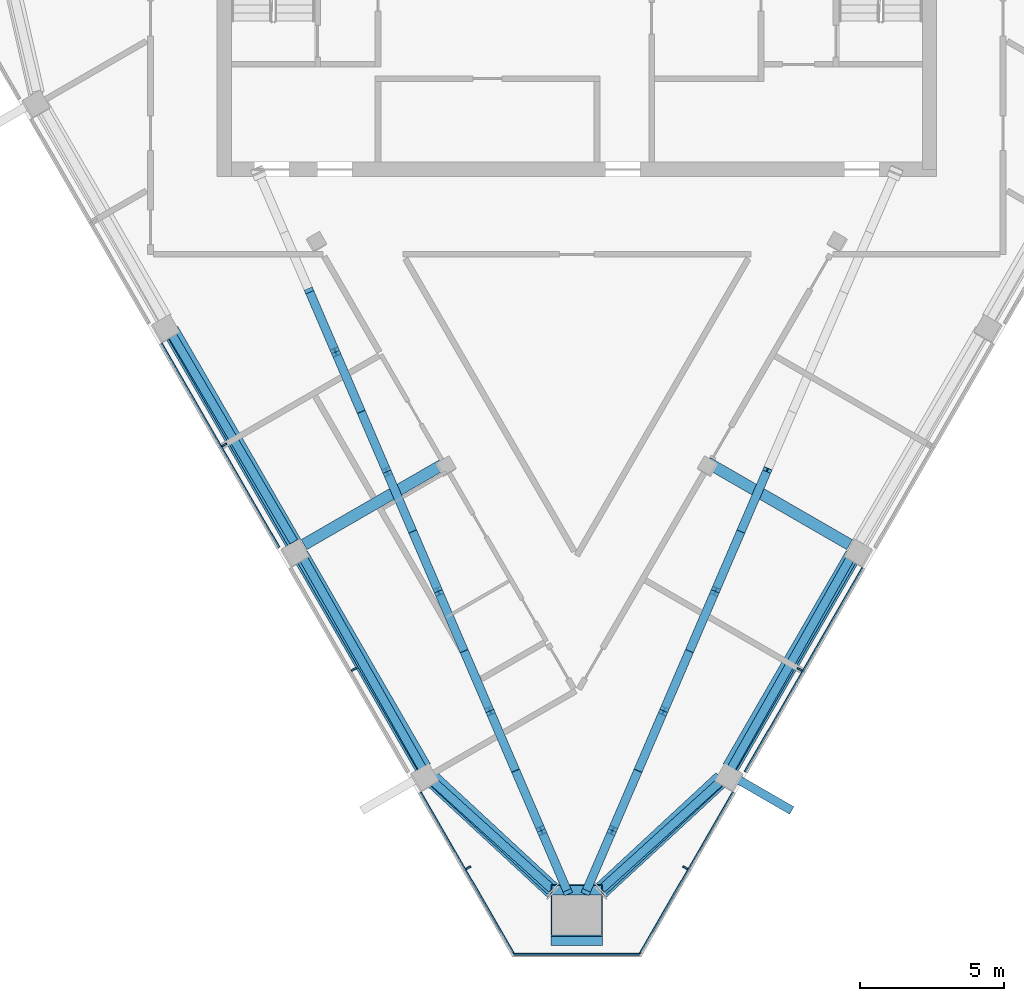
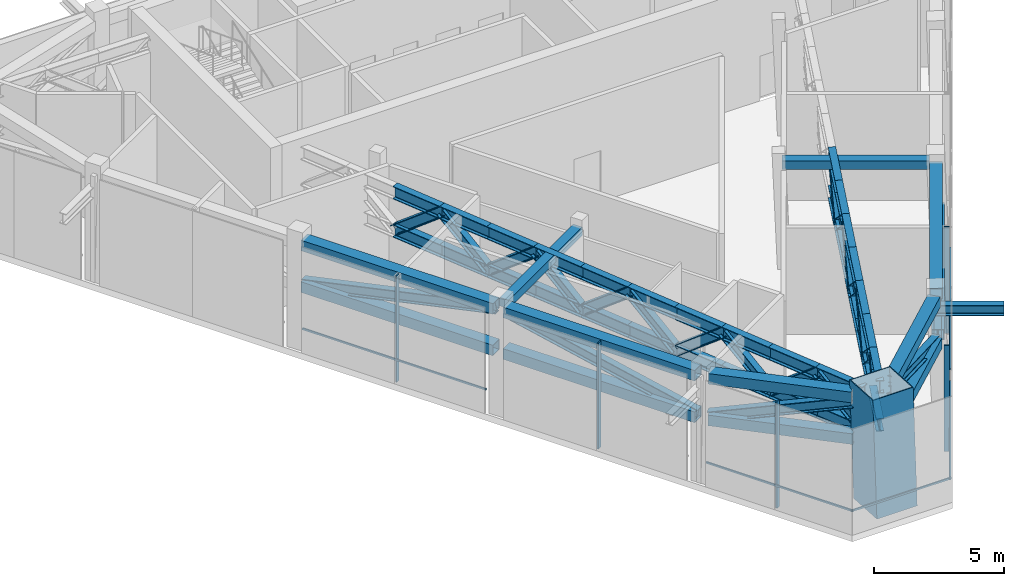
# One storey, part 2 of 13: 78 members, 2 beams, 3 elements without a shape of their own.
"""IFC4 building model written with IfcOpenShell, lengths in metres."""

from ifc_helpers import new_model, si_unit, direction, frame, origin, origin_2d, place, context, subcontext, project, spatial, rectangle, hollow_rectangle, i_section, extrude, material, layer, layer_set, material_profile, profile_set, type_object, element, aggregate, save


model = new_model("IFC4")

# Units and contexts
model_context = context("Model", 3, precision=1e-05, world=origin(), true_north=direction((0.0, 1.0)))
body_context = subcontext(model_context, "Body", "Model", "MODEL_VIEW")
ifc_project = project(units=[si_unit("LENGTHUNIT", "METRE"), si_unit("AREAUNIT", "SQUARE_METRE"), si_unit("VOLUMEUNIT", "CUBIC_METRE"), si_unit("PLANEANGLEUNIT", "RADIAN"), si_unit("MASSUNIT", "GRAM", prefix="KILO")], contexts=[model_context])

# Site, building, storey
site_placement = place(None, origin())
site = spatial("IfcSite", under=ifc_project, at=site_placement, CompositionType="ELEMENT")
building_placement = place(site_placement, origin())
building = spatial("IfcBuilding", under=site, at=building_placement, Name="Altiplano Prism Tower", CompositionType="ELEMENT")
storey_placement = place(building_placement, frame((0.0, 0.0, 286.0)))
storey = spatial("IfcBuildingStorey", under=building, at=storey_placement, Name="L74", CompositionType="ELEMENT", Elevation=286.0)

# Members
ifc_material_1 = material(Name="Steel S355", Category="steel")
ifc_material_profile_1 = material_profile(ifc_material_1, hollow_rectangle(XDim=0.5, YDim=0.5, WallThickness=0.02490234375, at=origin_2d()), Name="Belt chord Box 500x500x25")
ifc_profile_set_1 = profile_set([ifc_material_profile_1], Name="Steel S355")
member_type_1 = type_object("IfcMemberType", Name="Belt chord Box 500x500x25", PredefinedType="CHORD", material=ifc_profile_set_1)
for number, where, z_axis, x_axis, name in (
    (1, (70.88623046875, 87.500244140625, 2.85009765625), (0.500007039007, -0.866021339774, 0.0), (0.866021339774, 0.500007039007, 0.0), "Belt truss R3 chord b7"),
    (2, (70.928466796875, 87.5732421875, 4.75), (0.500007039007, -0.866021339774, 0.0), (0.866021339774, 0.500007039007, 0.0), "Belt truss R3 chord t7"),
    (3, (75.38623046875, 79.7060546875, 2.85009765625), (0.499994660107, -0.866028486751, 0.0), (0.866028486751, 0.499994660107, 0.0), "Belt truss R3 chord b8"),
    (4, (75.428466796875, 79.779052734375, 4.75), (0.500007039007, -0.866021339774, 0.0), (0.866021339774, 0.500007039007, 0.0), "Belt truss R3 chord t8"),
):
    element("IfcMember", number, at=place(storey_placement, frame(where, z_axis=z_axis, x_axis=x_axis)), inside=storey, type_object=member_type_1, Name=name, PredefinedType="CHORD", context=body_context, shape_type="SweptSolid", body=[
        extrude(hollow_rectangle(XDim=0.5, YDim=0.5, WallThickness=0.02490234375, at=origin_2d()), origin(), (0.0, 0.0, 1.0), 8.5400390625),
    ])
member_1_placement = place(storey_placement, frame((79.951904296875, 71.943603515625, 2.85009765625), z_axis=(0.733540549214, -0.679645689061, 0.0), x_axis=(0.679645689061, 0.733540549214, 0.0)))
element("IfcMember", 5, at=member_1_placement, inside=storey, type_object=member_type_1, Name="Belt truss R3 chord b9", PredefinedType="CHORD", context=body_context, shape_type="SweptSolid", body=[
    extrude(hollow_rectangle(XDim=0.5, YDim=0.5, WallThickness=0.02490234375, at=origin_2d()), origin(), (0.0, 0.0, 1.0), 5.73486328125),
])
member_2_placement = place(storey_placement, frame((79.994140625, 72.0166015625, 4.75), z_axis=(0.733448596021, -0.679744920536, 0.0), x_axis=(0.679744920536, 0.733448596021, 0.0)))
element("IfcMember", 6, at=member_2_placement, inside=storey, type_object=member_type_1, Name="Belt truss R3 chord t9", PredefinedType="CHORD", context=body_context, shape_type="SweptSolid", body=[
    extrude(hollow_rectangle(XDim=0.5, YDim=0.5, WallThickness=0.02490234375, at=origin_2d()), origin(), (0.0, 0.0, 1.0), 5.677978515625),
])
member_3_placement = place(storey_placement, frame((85.84130859375, 68.0458984375, 2.85009765625), z_axis=(0.733540549214, 0.679645689061, 0.0), x_axis=(-0.679645689061, 0.733540549214, 0.0)))
element("IfcMember", 7, at=member_3_placement, inside=storey, type_object=member_type_1, Name="Belt truss R3 chord b10", PredefinedType="CHORD", context=body_context, shape_type="SweptSolid", body=[
    extrude(hollow_rectangle(XDim=0.5, YDim=0.5, WallThickness=0.02490234375, at=origin_2d()), origin(), (0.0, 0.0, 1.0), 5.73486328125),
])
member_4_placement = place(storey_placement, frame((85.84130859375, 68.156982421875, 4.75), z_axis=(0.733448596021, 0.679744920536, 0.0), x_axis=(-0.679744920536, 0.733448596021, 0.0)))
element("IfcMember", 8, at=member_4_placement, inside=storey, type_object=member_type_1, Name="Belt truss R3 chord t10", PredefinedType="CHORD", context=body_context, shape_type="SweptSolid", body=[
    extrude(hollow_rectangle(XDim=0.5, YDim=0.5, WallThickness=0.02490234375, at=origin_2d()), origin(), (0.0, 0.0, 1.0), 5.677978515625),
])
for number, where, z_axis, x_axis, name in (
    (9, (90.34375, 72.31005859375, 2.85009765625), (0.499994660107, 0.866028486751, 0.0), (-0.866028486751, 0.499994660107, 0.0), "Belt truss R3 chord b11"),
    (10, (90.301513671875, 72.38330078125, 4.75), (0.500007039007, 0.866021339774, 0.0), (-0.866021339774, 0.500007039007, 0.0), "Belt truss R3 chord t11"),
):
    element("IfcMember", number, at=place(storey_placement, frame(where, z_axis=z_axis, x_axis=x_axis)), inside=storey, type_object=member_type_1, Name=name, PredefinedType="CHORD", context=body_context, shape_type="SweptSolid", body=[
        extrude(hollow_rectangle(XDim=0.5, YDim=0.5, WallThickness=0.02490234375, at=origin_2d()), origin(), (0.0, 0.0, 1.0), 8.5400390625),
    ])
ifc_material_profile_2 = material_profile(ifc_material_1, i_section(OverallWidth=0.300048828125, OverallDepth=0.5, WebThickness=0.014404296875, FlangeThickness=0.028076171875, FilletRadius=0.027099609375, at=origin_2d()), Name="Belt diagonal HEB 500")
ifc_profile_set_2 = profile_set([ifc_material_profile_2], Name="Steel S355")
member_type_2 = type_object("IfcMemberType", Name="Belt diagonal HEB 500", PredefinedType="BRACE", material=ifc_profile_set_2)
member_5_placement = place(storey_placement, frame((70.887939453125, 87.501220703125, 2.898681640625), z_axis=(0.496023126527, -0.843155005215, 0.207486614343), x_axis=(0.86191205869, 0.507057790676, 0.0)))
element("IfcMember", 11, at=member_5_placement, inside=storey, type_object=member_type_2, Name="Belt truss R3 diagonal 7", PredefinedType="BRACE", context=body_context, shape_type="SweptSolid", body=[
    extrude(i_section(OverallWidth=0.300048828125, OverallDepth=0.5, WebThickness=0.014404296875, FlangeThickness=0.028076171875, FilletRadius=0.027099609375, at=origin_2d()), origin(), (0.0, 0.0, 1.0), 8.687255859375),
])
member_6_placement = place(storey_placement, frame((75.427001953125, 79.7783203125, 4.70166015625), z_axis=(0.482435058696, -0.851457513288, -0.205612541462), x_axis=(0.870047400873, 0.492968072227, 0.0)))
element("IfcMember", 12, at=member_6_placement, inside=storey, type_object=member_type_2, Name="Belt truss R3 diagonal 8", PredefinedType="BRACE", context=body_context, shape_type="SweptSolid", body=[
    extrude(i_section(OverallWidth=0.300048828125, OverallDepth=0.5, WebThickness=0.014404296875, FlangeThickness=0.028076171875, FilletRadius=0.027099609375, at=origin_2d()), origin(), (0.0, 0.0, 1.0), 8.77001953125),
])
for number, where, z_axis, x_axis, name in (
    (13, (79.953857421875, 71.945556640625, 2.916259765625), (0.715831979967, -0.648004128849, 0.260144624104), (0.671110696127, 0.741357156534, 0.0), "Belt truss R3 diagonal 9"),
    (14, (85.820556640625, 68.120361328125, 4.451904296875), (0.715831979967, 0.648004128849, -0.260144624104), (-0.671110696127, 0.741357156534, 0.0), "Belt truss R3 diagonal 10"),
):
    element("IfcMember", number, at=place(storey_placement, frame(where, z_axis=z_axis, x_axis=x_axis)), inside=storey, type_object=member_type_2, Name=name, PredefinedType="BRACE", context=body_context, shape_type="SweptSolid", body=[
        extrude(i_section(OverallWidth=0.300048828125, OverallDepth=0.5, WebThickness=0.014404296875, FlangeThickness=0.028076171875, FilletRadius=0.027099609375, at=origin_2d()), origin(), (0.0, 0.0, 1.0), 5.903076171875),
    ])
member_7_placement = place(storey_placement, frame((90.342041015625, 72.31103515625, 2.8984375), z_axis=(0.482435058696, 0.851457513288, 0.205612541462), x_axis=(-0.870047400873, 0.492968072227, 0.0)))
element("IfcMember", 15, at=member_7_placement, inside=storey, type_object=member_type_2, Name="Belt truss R3 diagonal 11", PredefinedType="BRACE", context=body_context, shape_type="SweptSolid", body=[
    extrude(i_section(OverallWidth=0.300048828125, OverallDepth=0.5, WebThickness=0.014404296875, FlangeThickness=0.028076171875, FilletRadius=0.027099609375, at=origin_2d()), origin(), (0.0, 0.0, 1.0), 8.77001953125),
])
ifc_material_profile_3 = material_profile(ifc_material_1, i_section(OverallWidth=0.300048828125, OverallDepth=0.5, WebThickness=0.014404296875, FlangeThickness=0.028076171875, FilletRadius=0.027099609375, at=origin_2d()), Name="Brace bracket HEB 500")
ifc_profile_set_3 = profile_set([ifc_material_profile_3], Name="Steel S355")
member_type_3 = type_object("IfcMemberType", Name="Brace bracket HEB 500", PredefinedType="STRUT", material=ifc_profile_set_3)
member_8_placement = place(storey_placement, frame((90.172119140625, 72.208984375, 4.2138671875), z_axis=(0.866029095148, -0.499993606316, 0.0), x_axis=(0.499993606316, 0.866029095148, 0.0)))
element("IfcMember", 16, at=member_8_placement, inside=storey, type_object=member_type_3, Name="Brace bracket 2.291.4", PredefinedType="STRUT", context=body_context, shape_type="SweptSolid", body=[
    extrude(i_section(OverallWidth=0.300048828125, OverallDepth=0.5, WebThickness=0.014404296875, FlangeThickness=0.028076171875, FilletRadius=0.027099609375, at=origin_2d()), origin(), (0.0, 0.0, 1.0), 2.64990234375),
])

# Curtain wall, members
ifc_material_2 = material(Name="Aluminium and glass", Category="aluminium")
ifc_layer = layer(ifc_material_2, 0.320068359375)
ifc_layer_set = layer_set([ifc_layer], Name="Aluminium and glass")
curtain_wall_type = type_object("IfcCurtainWallType", Name="CW6 louvred plant-floor curtain wall", PredefinedType="NOTDEFINED", material=ifc_layer_set)
curtain_wall_1_placement = place(storey_placement, origin())
curtain_wall_1 = element("IfcCurtainWall", 17, at=curtain_wall_1_placement, inside=storey, type_object=curtain_wall_type, Name="CW6 curtain wall south-west face L74", PredefinedType="NOTDEFINED")
ifc_material_3 = material(Name="Aluminium", Category="aluminium")
ifc_material_profile_4 = material_profile(ifc_material_3, rectangle(XDim=0.199951171875, YDim=0.06005859375, at=origin_2d()), Name="CW6 mullion 60 x 200")
ifc_profile_set_4 = profile_set([ifc_material_profile_4], Name="Aluminium")
member_type_4 = type_object("IfcMemberType", Name="CW6 mullion 60 x 200", PredefinedType="MULLION", material=ifc_profile_set_4)
member_9_placement = place(storey_placement, frame((72.7587890625, 83.57763671875, 0.0), z_axis=(0.0, 0.0, 1.0), x_axis=(0.866025406813, 0.499999994755, 0.0)))
member_9 = element("IfcMember", 18, at=member_9_placement, type_object=member_type_4, Name="CW6 mullion", PredefinedType="MULLION", context=body_context, shape_type="SweptSolid", body=[
    extrude(rectangle(XDim=0.199951171875, YDim=0.06005859375, at=origin_2d()), origin(), (0.0, 0.0, 1.0), 5.0),
])
member_10_placement = place(storey_placement, frame((77.2587890625, 75.783447265625, 0.0), z_axis=(0.0, 0.0, 1.0), x_axis=(0.866025406813, 0.499999994755, 0.0)))
member_10 = element("IfcMember", 19, at=member_10_placement, type_object=member_type_4, Name="CW6 mullion", PredefinedType="MULLION", context=body_context, shape_type="SweptSolid", body=[
    extrude(rectangle(XDim=0.199951171875, YDim=0.06005859375, at=origin_2d()), origin(), (0.0, 0.0, 1.0), 5.0),
])
member_11_placement = place(storey_placement, frame((81.234130859375, 68.89794921875, 0.0), z_axis=(0.0, 0.0, 1.0), x_axis=(0.866025406813, 0.499999994755, 0.0)))
member_11 = element("IfcMember", 20, at=member_11_placement, type_object=member_type_4, Name="CW6 mullion", PredefinedType="MULLION", context=body_context, shape_type="SweptSolid", body=[
    extrude(rectangle(XDim=0.199951171875, YDim=0.06005859375, at=origin_2d()), origin(), (0.0, 0.0, 1.0), 5.0),
])

curtain_wall_2_placement = place(storey_placement, origin())
curtain_wall_2 = element("IfcCurtainWall", 21, at=curtain_wall_2_placement, inside=storey, type_object=curtain_wall_type, Name="CW6 curtain wall south-east face L74", PredefinedType="NOTDEFINED")
member_12_placement = place(storey_placement, frame((88.765869140625, 68.89794921875, 0.0), z_axis=(0.0, 0.0, 1.0), x_axis=(-0.866025406813, 0.499999994755, 0.0)))
member_12 = element("IfcMember", 22, at=member_12_placement, type_object=member_type_4, Name="CW6 mullion", PredefinedType="MULLION", context=body_context, shape_type="SweptSolid", body=[
    extrude(rectangle(XDim=0.199951171875, YDim=0.06005859375, at=origin_2d()), origin(), (0.0, 0.0, 1.0), 5.0),
])
member_13_placement = place(storey_placement, frame((92.7412109375, 75.783447265625, 0.0), z_axis=(0.0, 0.0, 1.0), x_axis=(-0.866025406813, 0.499999994755, 0.0)))
member_13 = element("IfcMember", 23, at=member_13_placement, type_object=member_type_4, Name="CW6 mullion", PredefinedType="MULLION", context=body_context, shape_type="SweptSolid", body=[
    extrude(rectangle(XDim=0.199951171875, YDim=0.06005859375, at=origin_2d()), origin(), (0.0, 0.0, 1.0), 5.0),
])

# Member
ifc_material_profile_5 = material_profile(ifc_material_3, rectangle(XDim=0.06005859375, YDim=0.080078125, at=origin_2d()), Name="CW6 transom 80 x 60")
ifc_profile_set_5 = profile_set([ifc_material_profile_5], Name="Aluminium")
member_type_5 = type_object("IfcMemberType", Name="CW6 transom 80 x 60", PredefinedType="USERDEFINED", material=ifc_profile_set_5)
member_14_placement = place(storey_placement, frame((70.5712890625, 87.106689453125, 1.10009765625), z_axis=(0.499978225157, -0.866037975131, 0.0), x_axis=(0.866037975131, 0.499978225157, 0.0)))
member_14 = element("IfcMember", 24, at=member_14_placement, type_object=member_type_5, Name="CW6 transom", ObjectType="TRANSOM", PredefinedType="USERDEFINED", context=body_context, shape_type="SweptSolid", body=[
    extrude(rectangle(XDim=0.06005859375, YDim=0.080078125, at=origin_2d()), origin(), (0.0, 0.0, 1.0), 8.179931640625),
])

member_15_placement = place(storey_placement, frame((79.5712890625, 71.51806640625, 1.10009765625), z_axis=(0.499986987217, -0.866032916588, 0.0), x_axis=(0.866032916588, 0.499986987217, 0.0)))
member_15 = element("IfcMember", 25, at=member_15_placement, type_object=member_type_5, Name="CW6 transom", ObjectType="TRANSOM", PredefinedType="USERDEFINED", context=body_context, shape_type="SweptSolid", body=[
    extrude(rectangle(XDim=0.06005859375, YDim=0.080078125, at=origin_2d()), origin(), (0.0, 0.0, 1.0), 6.551025390625),
])

aggregate(curtain_wall_1, [member_9, member_14, member_10, member_11, member_15])

# Curtain wall, member
curtain_wall_3_placement = place(storey_placement, origin())
curtain_wall_3 = element("IfcCurtainWall", 26, at=curtain_wall_3_placement, inside=storey, type_object=curtain_wall_type, Name="CW6 curtain wall south chamfer L74", PredefinedType="NOTDEFINED")
member_16_placement = place(storey_placement, frame((82.768798828125, 65.889892578125, 1.10009765625), z_axis=(1.0, 0.0, 0.0), x_axis=(0.0, 1.0, 0.0)))
member_16 = element("IfcMember", 27, at=member_16_placement, type_object=member_type_5, Name="CW6 transom", ObjectType="TRANSOM", PredefinedType="USERDEFINED", context=body_context, shape_type="SweptSolid", body=[
    extrude(rectangle(XDim=0.06005859375, YDim=0.080078125, at=origin_2d()), origin(), (0.0, 0.0, 1.0), 4.46240234375),
])
aggregate(curtain_wall_3, [member_16])

# Member
member_17_placement = place(storey_placement, frame((87.1533203125, 65.8447265625, 1.10009765625), z_axis=(0.499986987217, 0.866032916588, 0.0), x_axis=(-0.866032916588, 0.499986987217, 0.0)))
member_17 = element("IfcMember", 28, at=member_17_placement, type_object=member_type_5, Name="CW6 transom", ObjectType="TRANSOM", PredefinedType="USERDEFINED", context=body_context, shape_type="SweptSolid", body=[
    extrude(rectangle(XDim=0.06005859375, YDim=0.080078125, at=origin_2d()), origin(), (0.0, 0.0, 1.0), 6.551025390625),
])

member_18_placement = place(storey_placement, frame((90.8388671875, 72.228271484375, 1.10009765625), z_axis=(0.499991148707, 0.866030514021, 0.0), x_axis=(-0.866030514021, 0.499991148707, 0.0)))
member_18 = element("IfcMember", 29, at=member_18_placement, type_object=member_type_5, Name="CW6 transom", ObjectType="TRANSOM", PredefinedType="USERDEFINED", context=body_context, shape_type="SweptSolid", body=[
    extrude(rectangle(XDim=0.06005859375, YDim=0.080078125, at=origin_2d()), origin(), (0.0, 0.0, 1.0), 8.179931640625),
])

aggregate(curtain_wall_2, [member_12, member_17, member_13, member_18])

# Members
ifc_material_4 = material(Name="Steel S460", Category="steel")
ifc_material_profile_6 = material_profile(ifc_material_4, hollow_rectangle(XDim=1.800048828125, YDim=1.800048828125, WallThickness=0.0400390625, at=origin_2d()), Name="Mega column tube 1800")
ifc_profile_set_6 = profile_set([ifc_material_profile_6], Name="Steel S460")
member_type_6 = type_object("IfcMemberType", Name="Mega column tube 1800", PredefinedType="POST", material=ifc_profile_set_6)
member_19_placement = place(storey_placement, frame((85.0, 67.099853515625, 0.0), z_axis=(0.0, 0.058359537448, 0.998295629755), x_axis=(-1.0, 0.0, 0.0)))
element("IfcMember", 30, at=member_19_placement, inside=storey, type_object=member_type_6, Name="Mega column tube M1 L74", PredefinedType="POST", context=body_context, shape_type="SweptSolid", body=[
    extrude(hollow_rectangle(XDim=1.800048828125, YDim=1.800048828125, WallThickness=0.0400390625, at=origin_2d()), origin(), (0.0, 0.0, 1.0), 5.4091796875),
])
ifc_material_profile_7 = material_profile(ifc_material_1, i_section(OverallWidth=0.300048828125, OverallDepth=0.60009765625, WebThickness=0.015380859375, FlangeThickness=0.030029296875, FilletRadius=0.027099609375, at=origin_2d()), Name="Outrigger chord HEB 600")
ifc_profile_set_7 = profile_set([ifc_material_profile_7], Name="Steel S355")
member_type_7 = type_object("IfcMemberType", Name="Outrigger chord HEB 600", PredefinedType="CHORD", material=ifc_profile_set_7)
for number, where, z_axis, x_axis, name in (
    (31, (84.660400390625, 68.11181640625, 2.89990234375), (-0.395078780291, 0.918647243159, 0.0), (-0.918647243159, -0.395078780291, 0.0), "Outrigger truss R3 3 chord b1"),
    (32, (84.660400390625, 68.11181640625, 4.699951171875), (-0.395078780291, 0.918647243159, 0.0), (-0.918647243159, -0.395078780291, 0.0), "Outrigger truss R3 3 chord t1"),
    (33, (83.76708984375, 70.18896484375, 2.89990234375), (-0.395078780291, 0.918647243159, 0.0), (-0.918647243159, -0.395078780291, 0.0), "Outrigger truss R3 3 chord b2"),
    (34, (83.76708984375, 70.18896484375, 4.699951171875), (-0.395078780291, 0.918647243159, 0.0), (-0.918647243159, -0.395078780291, 0.0), "Outrigger truss R3 3 chord t2"),
    (35, (82.873779296875, 72.26611328125, 2.89990234375), (-0.395078780291, 0.918647243159, 0.0), (-0.918647243159, -0.395078780291, 0.0), "Outrigger truss R3 3 chord b3"),
    (36, (82.873779296875, 72.26611328125, 4.699951171875), (-0.395078780291, 0.918647243159, 0.0), (-0.918647243159, -0.395078780291, 0.0), "Outrigger truss R3 3 chord t3"),
    (37, (81.98046875, 74.34326171875, 2.89990234375), (-0.395078780291, 0.918647243159, 0.0), (-0.918647243159, -0.395078780291, 0.0), "Outrigger truss R3 3 chord b4"),
    (38, (81.98046875, 74.34326171875, 4.699951171875), (-0.395078780291, 0.918647243159, 0.0), (-0.918647243159, -0.395078780291, 0.0), "Outrigger truss R3 3 chord t4"),
    (39, (81.087158203125, 76.42041015625, 2.89990234375), (-0.395078780291, 0.918647243159, 0.0), (-0.918647243159, -0.395078780291, 0.0), "Outrigger truss R3 3 chord b5"),
    (40, (81.087158203125, 76.42041015625, 4.699951171875), (-0.395078780291, 0.918647243159, 0.0), (-0.918647243159, -0.395078780291, 0.0), "Outrigger truss R3 3 chord t5"),
    (41, (80.19384765625, 78.49755859375, 2.89990234375), (-0.395078780291, 0.918647243159, 0.0), (-0.918647243159, -0.395078780291, 0.0), "Outrigger truss R3 3 chord b6"),
    (42, (80.19384765625, 78.49755859375, 4.699951171875), (-0.395078780291, 0.918647243159, 0.0), (-0.918647243159, -0.395078780291, 0.0), "Outrigger truss R3 3 chord t6"),
    (43, (79.300537109375, 80.57470703125, 2.89990234375), (-0.395078780291, 0.918647243159, 0.0), (-0.918647243159, -0.395078780291, 0.0), "Outrigger truss R3 3 chord b7"),
    (44, (79.300537109375, 80.57470703125, 4.699951171875), (-0.395078780291, 0.918647243159, 0.0), (-0.918647243159, -0.395078780291, 0.0), "Outrigger truss R3 3 chord t7"),
    (45, (78.4072265625, 82.65185546875, 2.89990234375), (-0.395078780291, 0.918647243159, 0.0), (-0.918647243159, -0.395078780291, 0.0), "Outrigger truss R3 3 chord b8"),
    (46, (78.4072265625, 82.65185546875, 4.699951171875), (-0.395078780291, 0.918647243159, 0.0), (-0.918647243159, -0.395078780291, 0.0), "Outrigger truss R3 3 chord t8"),
):
    element("IfcMember", number, at=place(storey_placement, frame(where, z_axis=z_axis, x_axis=x_axis)), inside=storey, type_object=member_type_7, Name=name, PredefinedType="CHORD", context=body_context, shape_type="SweptSolid", body=[
        extrude(i_section(OverallWidth=0.300048828125, OverallDepth=0.60009765625, WebThickness=0.015380859375, FlangeThickness=0.030029296875, FilletRadius=0.027099609375, at=origin_2d()), origin(), (0.0, 0.0, 1.0), 2.260986328125),
    ])
for number, where, z_axis, x_axis, name in (
    (47, (77.513916015625, 84.72900390625, 2.89990234375), (-0.395039595758, 0.918664094097, 0.0), (-0.918664094097, -0.395039595758, 0.0), "Outrigger truss R3 3 chord b9"),
    (48, (77.513916015625, 84.72900390625, 4.699951171875), (-0.395039595758, 0.918664094097, 0.0), (-0.918664094097, -0.395039595758, 0.0), "Outrigger truss R3 3 chord t9"),
):
    element("IfcMember", number, at=place(storey_placement, frame(where, z_axis=z_axis, x_axis=x_axis)), inside=storey, type_object=member_type_7, Name=name, PredefinedType="CHORD", context=body_context, shape_type="SweptSolid", body=[
        extrude(i_section(OverallWidth=0.300048828125, OverallDepth=0.60009765625, WebThickness=0.015380859375, FlangeThickness=0.030029296875, FilletRadius=0.027099609375, at=origin_2d()), origin(), (0.0, 0.0, 1.0), 2.26123046875),
    ])
for number, where, z_axis, x_axis, name in (
    (49, (76.62060546875, 86.806396484375, 2.89990234375), (-0.395078780291, 0.918647243159, 0.0), (-0.918647243159, -0.395078780291, 0.0), "Outrigger truss R3 3 chord b10"),
    (50, (76.62060546875, 86.806396484375, 4.699951171875), (-0.395078780291, 0.918647243159, 0.0), (-0.918647243159, -0.395078780291, 0.0), "Outrigger truss R3 3 chord t10"),
    (51, (85.339599609375, 68.11181640625, 2.89990234375), (0.395078780291, 0.918647243159, 0.0), (-0.918647243159, 0.395078780291, 0.0), "Outrigger truss R3 4 chord b1"),
    (52, (85.339599609375, 68.11181640625, 4.699951171875), (0.395078780291, 0.918647243159, 0.0), (-0.918647243159, 0.395078780291, 0.0), "Outrigger truss R3 4 chord t1"),
    (53, (86.23291015625, 70.18896484375, 2.89990234375), (0.395078780291, 0.918647243159, 0.0), (-0.918647243159, 0.395078780291, 0.0), "Outrigger truss R3 4 chord b2"),
    (54, (86.23291015625, 70.18896484375, 4.699951171875), (0.395078780291, 0.918647243159, 0.0), (-0.918647243159, 0.395078780291, 0.0), "Outrigger truss R3 4 chord t2"),
    (55, (87.126220703125, 72.26611328125, 2.89990234375), (0.395078780291, 0.918647243159, 0.0), (-0.918647243159, 0.395078780291, 0.0), "Outrigger truss R3 4 chord b3"),
    (56, (87.126220703125, 72.26611328125, 4.699951171875), (0.395078780291, 0.918647243159, 0.0), (-0.918647243159, 0.395078780291, 0.0), "Outrigger truss R3 4 chord t3"),
    (57, (88.01953125, 74.34326171875, 2.89990234375), (0.395078780291, 0.918647243159, 0.0), (-0.918647243159, 0.395078780291, 0.0), "Outrigger truss R3 4 chord b4"),
    (58, (88.01953125, 74.34326171875, 4.699951171875), (0.395078780291, 0.918647243159, 0.0), (-0.918647243159, 0.395078780291, 0.0), "Outrigger truss R3 4 chord t4"),
    (59, (88.912841796875, 76.42041015625, 2.89990234375), (0.395078780291, 0.918647243159, 0.0), (-0.918647243159, 0.395078780291, 0.0), "Outrigger truss R3 4 chord b5"),
    (60, (88.912841796875, 76.42041015625, 4.699951171875), (0.395078780291, 0.918647243159, 0.0), (-0.918647243159, 0.395078780291, 0.0), "Outrigger truss R3 4 chord t5"),
    (61, (89.80615234375, 78.49755859375, 2.89990234375), (0.395078780291, 0.918647243159, 0.0), (-0.918647243159, 0.395078780291, 0.0), "Outrigger truss R3 4 chord b6"),
    (62, (89.80615234375, 78.49755859375, 4.699951171875), (0.395078780291, 0.918647243159, 0.0), (-0.918647243159, 0.395078780291, 0.0), "Outrigger truss R3 4 chord t6"),
    (63, (90.699462890625, 80.57470703125, 2.89990234375), (0.395078780291, 0.918647243159, 0.0), (-0.918647243159, 0.395078780291, 0.0), "Outrigger truss R3 4 chord b7"),
    (64, (90.699462890625, 80.57470703125, 4.699951171875), (0.395078780291, 0.918647243159, 0.0), (-0.918647243159, 0.395078780291, 0.0), "Outrigger truss R3 4 chord t7"),
):
    element("IfcMember", number, at=place(storey_placement, frame(where, z_axis=z_axis, x_axis=x_axis)), inside=storey, type_object=member_type_7, Name=name, PredefinedType="CHORD", context=body_context, shape_type="SweptSolid", body=[
        extrude(i_section(OverallWidth=0.300048828125, OverallDepth=0.60009765625, WebThickness=0.015380859375, FlangeThickness=0.030029296875, FilletRadius=0.027099609375, at=origin_2d()), origin(), (0.0, 0.0, 1.0), 2.260986328125),
    ])
ifc_material_profile_8 = material_profile(ifc_material_1, i_section(OverallWidth=0.300048828125, OverallDepth=0.449951171875, WebThickness=0.013916015625, FlangeThickness=0.02587890625, FilletRadius=0.027099609375, at=origin_2d()), Name="Outrigger diagonal HEB 450")
ifc_profile_set_8 = profile_set([ifc_material_profile_8], Name="Steel S355")
member_type_8 = type_object("IfcMemberType", Name="Outrigger diagonal HEB 450", PredefinedType="BRACE", material=ifc_profile_set_8)
for number, where, z_axis, x_axis, name in (
    (65, (84.660400390625, 68.11181640625, 2.89990234375), (-0.309092428011, 0.71870958664, 0.622830957017), (-0.918647243159, -0.395078780291, 0.0), "Outrigger truss R3 3 diagonal 1"),
    (66, (83.76708984375, 70.18896484375, 4.699951171875), (-0.309092428011, 0.71870958664, -0.622830957017), (-0.918647243159, -0.395078780291, 0.0), "Outrigger truss R3 3 diagonal 2"),
    (67, (82.873779296875, 72.26611328125, 2.89990234375), (-0.309092428011, 0.71870958664, 0.622830957017), (-0.918647243159, -0.395078780291, 0.0), "Outrigger truss R3 3 diagonal 3"),
    (68, (81.98046875, 74.34326171875, 4.699951171875), (-0.309092428011, 0.71870958664, -0.622830957017), (-0.918647243159, -0.395078780291, 0.0), "Outrigger truss R3 3 diagonal 4"),
    (69, (81.087158203125, 76.42041015625, 2.89990234375), (-0.309092428011, 0.71870958664, 0.622830957017), (-0.918647243159, -0.395078780291, 0.0), "Outrigger truss R3 3 diagonal 5"),
    (70, (80.19384765625, 78.49755859375, 4.699951171875), (-0.309092428011, 0.71870958664, -0.622830957017), (-0.918647243159, -0.395078780291, 0.0), "Outrigger truss R3 3 diagonal 6"),
    (71, (79.300537109375, 80.57470703125, 2.89990234375), (-0.309092428011, 0.71870958664, 0.622830957017), (-0.918647243159, -0.395078780291, 0.0), "Outrigger truss R3 3 diagonal 7"),
    (72, (78.4072265625, 82.65185546875, 4.699951171875), (-0.309092428011, 0.71870958664, -0.622830957017), (-0.918647243159, -0.395078780291, 0.0), "Outrigger truss R3 3 diagonal 8"),
):
    element("IfcMember", number, at=place(storey_placement, frame(where, z_axis=z_axis, x_axis=x_axis)), inside=storey, type_object=member_type_8, Name=name, PredefinedType="BRACE", context=body_context, shape_type="SweptSolid", body=[
        extrude(i_section(OverallWidth=0.300048828125, OverallDepth=0.449951171875, WebThickness=0.013916015625, FlangeThickness=0.02587890625, FilletRadius=0.027099609375, at=origin_2d()), origin(), (0.0, 0.0, 1.0), 2.89013671875),
    ])
member_20_placement = place(storey_placement, frame((77.513916015625, 84.72900390625, 2.89990234375), z_axis=(-0.309073662788, 0.7187504227, 0.622793144502), x_axis=(-0.918664094097, -0.395039595758, 0.0)))
element("IfcMember", 73, at=member_20_placement, inside=storey, type_object=member_type_8, Name="Outrigger truss R3 3 diagonal 9", PredefinedType="BRACE", context=body_context, shape_type="SweptSolid", body=[
    extrude(i_section(OverallWidth=0.300048828125, OverallDepth=0.449951171875, WebThickness=0.013916015625, FlangeThickness=0.02587890625, FilletRadius=0.027099609375, at=origin_2d()), origin(), (0.0, 0.0, 1.0), 2.890380859375),
])
for number, where, z_axis, x_axis, name in (
    (74, (76.62060546875, 86.806396484375, 4.699951171875), (-0.309092428011, 0.71870958664, -0.622830957017), (-0.918647243159, -0.395078780291, 0.0), "Outrigger truss R3 3 diagonal 10"),
    (75, (85.339599609375, 68.11181640625, 2.89990234375), (0.309092428011, 0.71870958664, 0.622830957017), (-0.918647243159, 0.395078780291, 0.0), "Outrigger truss R3 4 diagonal 1"),
    (76, (86.23291015625, 70.18896484375, 4.699951171875), (0.309092428011, 0.71870958664, -0.622830957017), (-0.918647243159, 0.395078780291, 0.0), "Outrigger truss R3 4 diagonal 2"),
    (77, (87.126220703125, 72.26611328125, 2.89990234375), (0.309092428011, 0.71870958664, 0.622830957017), (-0.918647243159, 0.395078780291, 0.0), "Outrigger truss R3 4 diagonal 3"),
    (78, (88.01953125, 74.34326171875, 4.699951171875), (0.309092428011, 0.71870958664, -0.622830957017), (-0.918647243159, 0.395078780291, 0.0), "Outrigger truss R3 4 diagonal 4"),
    (79, (88.912841796875, 76.42041015625, 2.89990234375), (0.309092428011, 0.71870958664, 0.622830957017), (-0.918647243159, 0.395078780291, 0.0), "Outrigger truss R3 4 diagonal 5"),
    (80, (89.80615234375, 78.49755859375, 4.699951171875), (0.309092428011, 0.71870958664, -0.622830957017), (-0.918647243159, 0.395078780291, 0.0), "Outrigger truss R3 4 diagonal 6"),
    (81, (90.699462890625, 80.57470703125, 2.89990234375), (0.309092428011, 0.71870958664, 0.622830957017), (-0.918647243159, 0.395078780291, 0.0), "Outrigger truss R3 4 diagonal 7"),
):
    element("IfcMember", number, at=place(storey_placement, frame(where, z_axis=z_axis, x_axis=x_axis)), inside=storey, type_object=member_type_8, Name=name, PredefinedType="BRACE", context=body_context, shape_type="SweptSolid", body=[
        extrude(i_section(OverallWidth=0.300048828125, OverallDepth=0.449951171875, WebThickness=0.013916015625, FlangeThickness=0.02587890625, FilletRadius=0.027099609375, at=origin_2d()), origin(), (0.0, 0.0, 1.0), 2.89013671875),
    ])

# Beams
ifc_material_5 = material(Name="Concrete C60/75", Category="concrete")
ifc_material_profile_9 = material_profile(ifc_material_5, rectangle(XDim=0.39990234375, YDim=0.39990234375, at=origin_2d()), Name="Tie beam 400x400")
ifc_profile_set_9 = profile_set([ifc_material_profile_9], Name="Concrete C60/75")
beam_type = type_object("IfcBeamType", Name="Tie beam 400x400", PredefinedType="BEAM", material=ifc_profile_set_9)
for number, where, z_axis, x_axis, name in (
    (82, (80.454833984375, 82.96337890625, 4.800048828125), (-0.866029822496, -0.499992346489, 0.0), (0.499992346489, -0.866029822496, 0.0), "Tie beam I13 L75"),
    (83, (89.545166015625, 82.96337890625, 4.800048828125), (0.866029822496, -0.499992346489, 0.0), (0.499992346489, 0.866029822496, 0.0), "Tie beam I22 L75"),
):
    element("IfcBeam", number, at=place(storey_placement, frame(where, z_axis=z_axis, x_axis=x_axis)), inside=storey, type_object=beam_type, Name=name, PredefinedType="BEAM", context=body_context, shape_type="SweptSolid", body=[
        extrude(rectangle(XDim=0.39990234375, YDim=0.39990234375, at=origin_2d()), origin(), (0.0, 0.0, 1.0), 5.68994140625),
    ])

save(model, "model.ifc")
